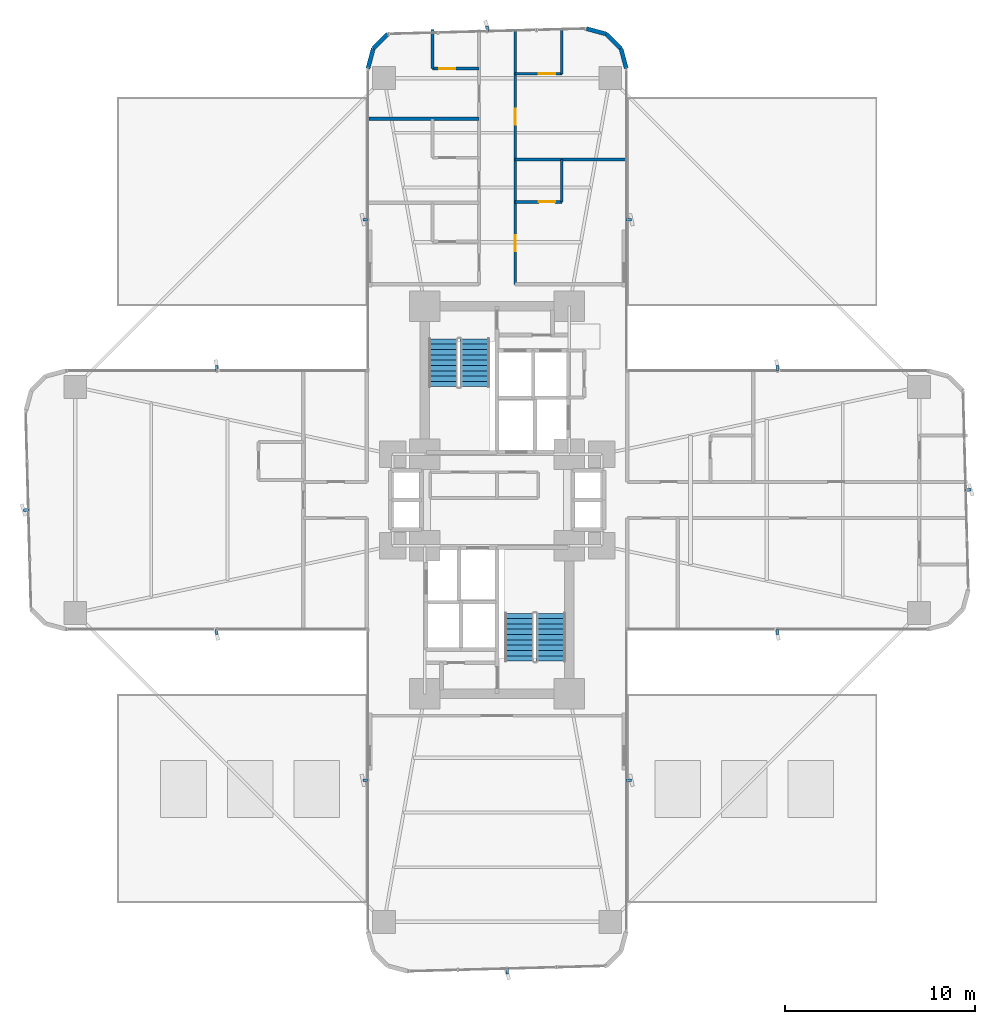
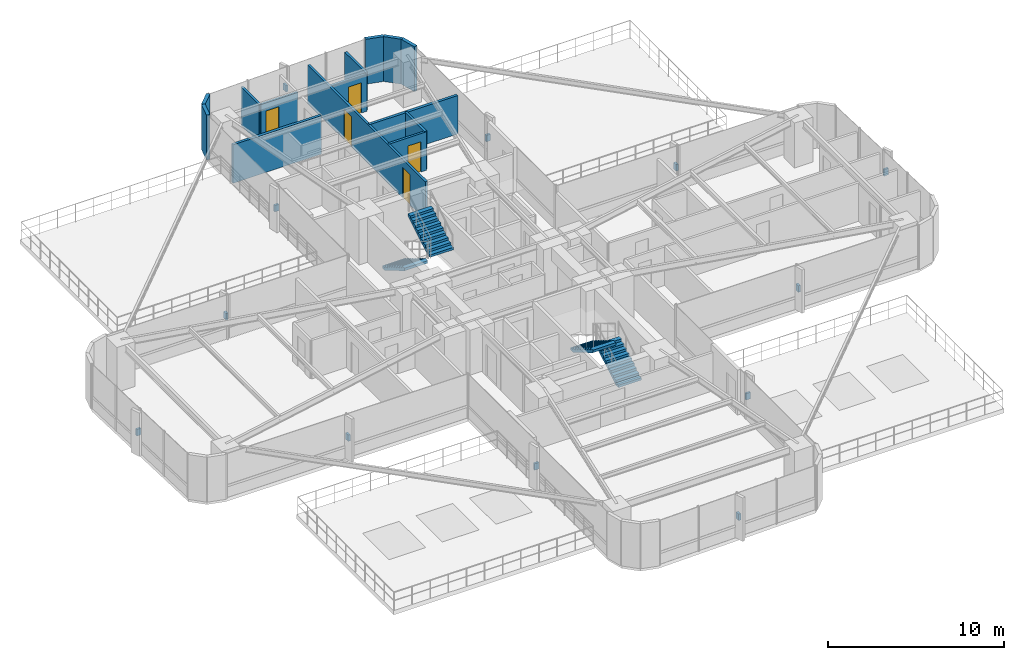
# One storey, part 24 of 27: 14 walls, 12 discrete accessories, 5 doors, 4 stair flights, 5 openings, 2 elements without a shape of their own.
"""IFC4 building model written with IfcOpenShell, lengths in metres."""

from ifc_helpers import new_model, si_unit, direction, frame, frame_2d, origin, origin_2d, place, context, subcontext, project, spatial, polyline, rectangle, outline, extrude, source, transform, mapped, material, layer, layer_set, type_object, element, fill, aggregate, save


model = new_model("IFC4")

# Units and contexts
model_context = context("Model", 3, precision=1e-05, world=origin(), true_north=direction((0.0, 1.0)))
body_context = subcontext(model_context, "Body", "Model", "MODEL_VIEW")
ifc_project = project(units=[si_unit("LENGTHUNIT", "METRE"), si_unit("AREAUNIT", "SQUARE_METRE"), si_unit("VOLUMEUNIT", "CUBIC_METRE"), si_unit("PLANEANGLEUNIT", "RADIAN"), si_unit("MASSUNIT", "GRAM", prefix="KILO")], contexts=[model_context])

# Site, building, storey
site_placement = place(None, origin())
site = spatial("IfcSite", under=ifc_project, at=site_placement, CompositionType="ELEMENT")
building_placement = place(site_placement, origin())
building = spatial("IfcBuilding", under=site, at=building_placement, Name="Sahyath Konkavel Grand Hotel", CompositionType="ELEMENT")
storey_placement = place(building_placement, frame((0.0, 0.0, 23.10009765625)))
storey = spatial("IfcBuildingStorey", under=building, at=storey_placement, Name="L05", CompositionType="ELEMENT", Elevation=23.10009765625)

# Walls
ifc_material_1 = material(Name="Warm Buff Sandstone Insulated Concrete C40/50", Category="masonry")
ifc_layer_1 = layer(ifc_material_1, 0.219970703125)
ifc_layer_set_1 = layer_set([ifc_layer_1], Name="Warm Buff Sandstone Insulated Concrete C40/50")
wall_type_1 = type_object("IfcWallType", Name="WLL-BALC-THRESH", PredefinedType="STANDARD", material=ifc_layer_set_1)
for number, where, z_axis, x_axis, name in (
    (1, (6.800048828125, 22.699951171875, 0.0), (0.0, 0.0, 1.0), (-0.25872485917, 0.965951058412, 0.0), "L05 Rounded Corner Sandstone Pier 9"),
    (2, (6.518798828125, 23.75, 0.0), (0.0, 0.0, 1.0), (-0.707106781187, 0.707106781187, 0.0), "L05 Rounded Corner Sandstone Pier 10"),
    (3, (5.75, 24.518798828125, 0.0), (0.0, 0.0, 1.0), (-0.965951058412, 0.25872485917, 0.0), "L05 Rounded Corner Sandstone Pier 11"),
    (4, (-5.75, 24.518798828125, 0.0), (0.0, 0.0, 1.0), (-0.707106781187, -0.707106781187, 0.0), "L05 Rounded Corner Sandstone Pier 13"),
    (5, (-6.518798828125, 23.75, 0.0), (0.0, 0.0, 1.0), (-0.25872485917, -0.965951058412, 0.0), "L05 Rounded Corner Sandstone Pier 14"),
):
    element("IfcWall", number, at=place(storey_placement, frame(where, z_axis=z_axis, x_axis=x_axis)), inside=storey, type_object=wall_type_1, Name=name, PredefinedType="STANDARD", context=body_context, shape_type="SweptSolid", body=[
        extrude(rectangle(XDim=1.087158203125, YDim=0.219970703125, at=frame_2d((0.54345703125, 0.0))), origin(), (0.0, 0.0, 1.0), 3.10986328125),
    ])
ifc_material_2 = material(Name="Twin-Stud Acoustic Gypsum Plasterboard Partition")
ifc_layer_2 = layer(ifc_material_2, 0.179931640625)
ifc_layer_set_2 = layer_set([ifc_layer_2], Name="Twin-Stud Acoustic Gypsum Plasterboard Partition")
wall_type_2 = type_object("IfcWallType", Name="WLL-DEMISE-180", PredefinedType="PARTITIONING", material=ifc_layer_set_2)
for number, where, z_axis, x_axis, name in (
    (6, (-0.949951171875, 20.06005859375, 0.0), (0.0, 0.0, 1.0), (-1.0, 0.0, 0.0), "L05 Partition N-N2L-DEM"),
    (7, (0.949951171875, 17.916015625, 0.0), (0.0, 0.0, 1.0), (1.0, 0.0, 0.0), "L05 Partition N-N1R-DEM"),
):
    element("IfcWall", number, at=place(storey_placement, frame(where, z_axis=z_axis, x_axis=x_axis)), inside=storey, type_object=wall_type_2, Name=name, PredefinedType="PARTITIONING", context=body_context, shape_type="SweptSolid", body=[
        extrude(rectangle(XDim=5.800048828125, YDim=0.179931640625, at=frame_2d((2.89990234375, 0.0))), origin(), (0.0, 0.0, 1.0), 2.659912109375),
    ])

# Wall, openings, doors
ifc_material_3 = material(Name="Fire-Rated Gypsum Plasterboard Partition")
ifc_layer_3 = layer(ifc_material_3, 0.14990234375)
ifc_layer_set_3 = layer_set([ifc_layer_3], Name="Fire-Rated Gypsum Plasterboard Partition")
wall_type_3 = type_object("IfcWallType", Name="WLL-PART-150", PredefinedType="PARTITIONING", material=ifc_layer_set_3)
wall_1_placement = place(storey_placement, frame((0.949951171875, 11.35009765625, 0.0), z_axis=(0.0, 0.0, 1.0), x_axis=(0.0, 1.0, 0.0)))
wall_1 = element("IfcWall", 8, at=wall_1_placement, inside=storey, type_object=wall_type_3, Name="L05 Partition N-CR", PredefinedType="PARTITIONING", context=body_context, shape_type="SweptSolid", body=[
    extrude(rectangle(XDim=13.39990234375, YDim=0.14990234375, at=frame_2d((6.699951171875, 0.0))), origin(), (0.0, 0.0, 1.0), 2.659912109375),
])
opening_1_placement = place(wall_1_placement, frame((1.741943359375, 0.0, 0.0)))
opening_1 = element("IfcOpeningElement", 9, at=opening_1_placement, cuts=wall_1, Name="Opening D-F06D", PredefinedType="OPENING", context=body_context, shape_type="SweptSolid", body=[
    extrude(rectangle(XDim=0.85009765625, YDim=2.10009765625, at=frame_2d((0.425048828125, 1.050048828125))), frame((0.0, 0.0849609375, 0.0), z_axis=(0.0, -1.0, 0.0), x_axis=(1.0, 0.0, 0.0)), (0.0, 0.0, 1.0), 0.169921875),
])
opening_2_placement = place(wall_1_placement, frame((8.39599609375, 0.0, 0.0)))
opening_2 = element("IfcOpeningElement", 10, at=opening_2_placement, cuts=wall_1, Name="Opening D-F06D", PredefinedType="OPENING", context=body_context, shape_type="SweptSolid", body=[
    extrude(rectangle(XDim=0.85009765625, YDim=2.10009765625, at=frame_2d((0.425048828125, 1.050048828125))), frame((0.0, 0.0849609375, 0.0), z_axis=(0.0, -1.0, 0.0), x_axis=(1.0, 0.0, 0.0)), (0.0, 0.0, 1.0), 0.169921875),
])
ifc_material_4 = material(Name="Fire-Rated Shaft Access Door")
door_type_1 = type_object("IfcDoorType", Name="DR-FD60-850", OperationType="NOTDEFINED", PredefinedType="DOOR", material=ifc_material_4)
shared_shape_1 = source(origin(), body_context, "Body", "SweptSolid", [
    extrude(rectangle(XDim=0.85009765625, YDim=0.050048828125, at=origin_2d()), origin(), (0.0, 0.0, 1.0), 2.10009765625),
])
door_1_placement = place(opening_1_placement, frame((0.425048828125, 0.0, 0.0)))
door_1 = element("IfcDoor", 11, at=door_1_placement, inside=storey, type_object=door_type_1, Name="L05 Door N-N1R-ED", OperationType="SINGLE_SWING_RIGHT", OverallHeight=2.10009765625, OverallWidth=0.85009765625, PredefinedType="DOOR", context=body_context, shape_type="MappedRepresentation", body=[
    mapped(shared_shape_1, transform((0.0, 0.0, 0.0), scale=1.0)),
])
fill(opening_1, door_1)
door_2_placement = place(opening_2_placement, frame((0.425048828125, 0.0, 0.0)))
door_2 = element("IfcDoor", 12, at=door_2_placement, inside=storey, type_object=door_type_1, Name="L05 Door N-N2R-ED", OperationType="SINGLE_SWING_RIGHT", OverallHeight=2.10009765625, OverallWidth=0.85009765625, PredefinedType="DOOR", context=body_context, shape_type="MappedRepresentation", body=[
    mapped(shared_shape_1, transform((0.0, 0.0, 0.0), scale=1.0)),
])
fill(opening_2, door_2)

# Wall, opening, door
wall_2_placement = place(storey_placement, frame((-0.949951171875, 22.699951171875, 0.0), z_axis=(0.0, 0.0, 1.0), x_axis=(-1.0, 0.0, 0.0)))
wall_2 = element("IfcWall", 13, at=wall_2_placement, inside=storey, type_object=wall_type_3, Name="L05 Partition N-N3L-BS", PredefinedType="PARTITIONING", context=body_context, shape_type="SweptSolid", body=[
    extrude(rectangle(XDim=2.449951171875, YDim=0.14990234375, at=frame_2d((1.22509765625, 0.0))), origin(), (0.0, 0.0, 1.0), 2.659912109375),
])
opening_3_placement = place(wall_2_placement, frame((1.25, 0.0, 0.0)))
opening_3 = element("IfcOpeningElement", 14, at=opening_3_placement, cuts=wall_2, Name="Opening D-BT85", PredefinedType="OPENING", context=body_context, shape_type="SweptSolid", body=[
    extrude(rectangle(XDim=0.85009765625, YDim=2.10009765625, at=frame_2d((0.425048828125, 1.050048828125))), frame((0.0, 0.0849609375, 0.0), z_axis=(0.0, -1.0, 0.0), x_axis=(1.0, 0.0, 0.0)), (0.0, 0.0, 1.0), 0.169921875),
])
ifc_material_5 = material(Name="Moisture-Resistant Teak Bathroom Door")
door_type_2 = type_object("IfcDoorType", Name="DR-BATH-850", OperationType="NOTDEFINED", PredefinedType="DOOR", material=ifc_material_5)
door_3_placement = place(opening_3_placement, frame((0.425048828125, 0.0, 0.0)))
door_3 = element("IfcDoor", 15, at=door_3_placement, inside=storey, type_object=door_type_2, Name="L05 Door N-N3L-BD", OperationType="SINGLE_SWING_LEFT", OverallHeight=2.10009765625, OverallWidth=0.85009765625, PredefinedType="DOOR", context=body_context, shape_type="MappedRepresentation", body=[
    mapped(shared_shape_1, transform((0.0, 0.0, 0.0), scale=1.0)),
])
fill(opening_3, door_3)

# Wall
wall_3_placement = place(storey_placement, frame((-3.39990234375, 22.699951171875, 0.0), z_axis=(0.0, 0.0, 1.0), x_axis=(0.0, 1.0, 0.0)))
element("IfcWall", 16, at=wall_3_placement, inside=storey, type_object=wall_type_3, Name="L05 Partition N-N3L-BF", PredefinedType="PARTITIONING", context=body_context, shape_type="SweptSolid", body=[
    extrude(rectangle(XDim=2.050048828125, YDim=0.14990234375, at=frame_2d((1.02490234375, 0.0))), origin(), (0.0, 0.0, 1.0), 2.659912109375),
])

# Wall, opening, door
wall_4_placement = place(storey_placement, frame((0.949951171875, 15.68408203125, 0.0), z_axis=(0.0, 0.0, 1.0), x_axis=(1.0, 0.0, 0.0)))
wall_4 = element("IfcWall", 17, at=wall_4_placement, inside=storey, type_object=wall_type_3, Name="L05 Partition N-N1R-BS", PredefinedType="PARTITIONING", context=body_context, shape_type="SweptSolid", body=[
    extrude(rectangle(XDim=2.449951171875, YDim=0.14990234375, at=frame_2d((1.22509765625, 0.0))), origin(), (0.0, 0.0, 1.0), 2.659912109375),
])
opening_4_placement = place(wall_4_placement, frame((1.25, 0.0, 0.0)))
opening_4 = element("IfcOpeningElement", 18, at=opening_4_placement, cuts=wall_4, Name="Opening D-BT85", PredefinedType="OPENING", context=body_context, shape_type="SweptSolid", body=[
    extrude(rectangle(XDim=0.85009765625, YDim=2.10009765625, at=frame_2d((0.425048828125, 1.050048828125))), frame((0.0, 0.0849609375, 0.0), z_axis=(0.0, -1.0, 0.0), x_axis=(1.0, 0.0, 0.0)), (0.0, 0.0, 1.0), 0.169921875),
])
door_4_placement = place(opening_4_placement, frame((0.425048828125, 0.0, 0.0)))
door_4 = element("IfcDoor", 19, at=door_4_placement, inside=storey, type_object=door_type_2, Name="L05 Door N-N1R-BD", OperationType="SINGLE_SWING_LEFT", OverallHeight=2.10009765625, OverallWidth=0.85009765625, PredefinedType="DOOR", context=body_context, shape_type="MappedRepresentation", body=[
    mapped(shared_shape_1, transform((0.0, 0.0, 0.0), scale=1.0)),
])
fill(opening_4, door_4)

# Wall
wall_5_placement = place(storey_placement, frame((3.39990234375, 15.68408203125, 0.0), z_axis=(0.0, 0.0, 1.0), x_axis=(0.0, 1.0, 0.0)))
element("IfcWall", 20, at=wall_5_placement, inside=storey, type_object=wall_type_3, Name="L05 Partition N-N1R-BF", PredefinedType="PARTITIONING", context=body_context, shape_type="SweptSolid", body=[
    extrude(rectangle(XDim=2.23193359375, YDim=0.14990234375, at=frame_2d((1.115966796875, 0.0))), origin(), (0.0, 0.0, 1.0), 2.659912109375),
])

# Wall, opening, door
wall_6_placement = place(storey_placement, frame((0.949951171875, 22.426025390625, 0.0), z_axis=(0.0, 0.0, 1.0), x_axis=(1.0, 0.0, 0.0)))
wall_6 = element("IfcWall", 21, at=wall_6_placement, inside=storey, type_object=wall_type_3, Name="L05 Partition N-N2R-BS", PredefinedType="PARTITIONING", context=body_context, shape_type="SweptSolid", body=[
    extrude(rectangle(XDim=2.449951171875, YDim=0.14990234375, at=frame_2d((1.22509765625, 0.0))), origin(), (0.0, 0.0, 1.0), 2.579833984375),
])
opening_5_placement = place(wall_6_placement, frame((1.25, 0.0, 0.0)))
opening_5 = element("IfcOpeningElement", 22, at=opening_5_placement, cuts=wall_6, Name="Opening D-BT85", PredefinedType="OPENING", context=body_context, shape_type="SweptSolid", body=[
    extrude(rectangle(XDim=0.85009765625, YDim=2.10009765625, at=frame_2d((0.425048828125, 1.050048828125))), frame((0.0, 0.0849609375, 0.0), z_axis=(0.0, -1.0, 0.0), x_axis=(1.0, 0.0, 0.0)), (0.0, 0.0, 1.0), 0.169921875),
])
door_5_placement = place(opening_5_placement, frame((0.425048828125, 0.0, 0.0)))
door_5 = element("IfcDoor", 23, at=door_5_placement, inside=storey, type_object=door_type_2, Name="L05 Door N-N2R-BD", OperationType="SINGLE_SWING_LEFT", OverallHeight=2.10009765625, OverallWidth=0.85009765625, PredefinedType="DOOR", context=body_context, shape_type="MappedRepresentation", body=[
    mapped(shared_shape_1, transform((0.0, 0.0, 0.0), scale=1.0)),
])
fill(opening_5, door_5)

# Wall
wall_7_placement = place(storey_placement, frame((3.39990234375, 22.426025390625, 0.0), z_axis=(0.0, 0.0, 1.0), x_axis=(0.0, 1.0, 0.0)))
element("IfcWall", 24, at=wall_7_placement, inside=storey, type_object=wall_type_3, Name="L05 Partition N-N2R-BF", PredefinedType="PARTITIONING", context=body_context, shape_type="SweptSolid", body=[
    extrude(rectangle(XDim=2.323974609375, YDim=0.14990234375, at=frame_2d((1.162109375, 0.0))), origin(), (0.0, 0.0, 1.0), 2.659912109375),
])

# Stair, stair flights
ifc_material_6 = material(Name="Concrete C40/50", Category="concrete")
stair_type = type_object("IfcStairType", Name="STR-ST16-335", PredefinedType="HALF_TURN_STAIR", material=ifc_material_6)
stair_1_placement = place(storey_placement, origin())
stair_1 = element("IfcStair", 25, at=stair_1_placement, inside=storey, type_object=stair_type, Name="L05 North Core Smokeproof Exit Stair ST-1", PredefinedType="HALF_TURN_STAIR")
stair_flight_type = type_object("IfcStairFlightType", Name="STF-ST16-335", PredefinedType="STRAIGHT", material=ifc_material_6)
stair_flight_1_placement = place(storey_placement, frame((-2.840087890625, 8.47998046875, 0.0), z_axis=(0.0, 0.0, 1.0), x_axis=(0.0, -1.0, 0.0)))
stair_flight_1 = element("IfcStairFlight", 26, at=stair_flight_1_placement, type_object=stair_flight_type, Name="ST-1 flight 1", NumberOfRisers=10, NumberOfTreads=9, PredefinedType="STRAIGHT", RiserHeight=0.1675, TreadLength=0.28, context=body_context, shape_type="SweptSolid", body=[
    extrude(outline(polyline([(0.0, 0.0), (0.0, 0.16748046875), (0.280029296875, 0.16748046875), (0.280029296875, 0.3349609375), (0.56005859375, 0.3349609375), (0.56005859375, 0.50244140625), (0.840087890625, 0.50244140625), (0.840087890625, 0.669921875), (1.1201171875, 0.669921875), (1.1201171875, 0.83740234375), (1.39990234375, 0.83740234375), (1.39990234375, 1.0048828125), (1.679931640625, 1.0048828125), (1.679931640625, 1.172607421875), (1.9599609375, 1.172607421875), (1.9599609375, 1.340087890625), (2.239990234375, 1.340087890625), (2.239990234375, 1.507568359375), (2.52001953125, 1.507568359375), (2.52001953125, 1.675048828125), (2.52001953125, 1.332763671875), (0.2919921875, 0.0), (0.0, 0.0)])), frame((0.0, 0.760009765625, 0.0), z_axis=(0.0, -1.0, 0.0), x_axis=(1.0, 0.0, 0.0)), (0.0, 0.0, 1.0), 1.52001953125),
])
stair_flight_2_placement = place(storey_placement, frame((-1.159912109375, 5.9599609375, 1.6748046875), z_axis=(0.0, 0.0, 1.0), x_axis=(0.0, 1.0, 0.0)))
stair_flight_2 = element("IfcStairFlight", 27, at=stair_flight_2_placement, type_object=stair_flight_type, Name="ST-1 flight 2", NumberOfRisers=10, NumberOfTreads=9, PredefinedType="STRAIGHT", RiserHeight=0.1675, TreadLength=0.28, context=body_context, shape_type="SweptSolid", body=[
    extrude(outline(polyline([(0.0, 0.0), (0.0, 0.16748046875), (0.280029296875, 0.16748046875), (0.280029296875, 0.3349609375), (0.56005859375, 0.3349609375), (0.56005859375, 0.50244140625), (0.840087890625, 0.50244140625), (0.840087890625, 0.669921875), (1.1201171875, 0.669921875), (1.1201171875, 0.83740234375), (1.39990234375, 0.83740234375), (1.39990234375, 1.0048828125), (1.679931640625, 1.0048828125), (1.679931640625, 1.172607421875), (1.9599609375, 1.172607421875), (1.9599609375, 1.340087890625), (2.239990234375, 1.340087890625), (2.239990234375, 1.507568359375), (2.52001953125, 1.507568359375), (2.52001953125, 1.675048828125), (2.52001953125, 1.332763671875), (0.2919921875, 0.0), (0.0, 0.0)])), frame((0.0, 0.760009765625, 0.0), z_axis=(0.0, -1.0, 0.0), x_axis=(1.0, 0.0, 0.0)), (0.0, 0.0, 1.0), 1.52001953125),
])
aggregate(stair_1, [stair_flight_1, stair_flight_2])

stair_2_placement = place(storey_placement, origin())
stair_2 = element("IfcStair", 28, at=stair_2_placement, inside=storey, type_object=stair_type, Name="L05 South Core Smokeproof Exit Stair ST-2", PredefinedType="HALF_TURN_STAIR")
stair_flight_3_placement = place(storey_placement, frame((2.840087890625, -8.47998046875, 0.0), z_axis=(0.0, 0.0, 1.0), x_axis=(0.0, 1.0, 0.0)))
stair_flight_3 = element("IfcStairFlight", 29, at=stair_flight_3_placement, type_object=stair_flight_type, Name="ST-2 flight 1", NumberOfRisers=10, NumberOfTreads=9, PredefinedType="STRAIGHT", RiserHeight=0.1675, TreadLength=0.28, context=body_context, shape_type="SweptSolid", body=[
    extrude(outline(polyline([(0.0, 0.0), (0.0, 0.16748046875), (0.280029296875, 0.16748046875), (0.280029296875, 0.3349609375), (0.56005859375, 0.3349609375), (0.56005859375, 0.50244140625), (0.840087890625, 0.50244140625), (0.840087890625, 0.669921875), (1.1201171875, 0.669921875), (1.1201171875, 0.83740234375), (1.39990234375, 0.83740234375), (1.39990234375, 1.0048828125), (1.679931640625, 1.0048828125), (1.679931640625, 1.172607421875), (1.9599609375, 1.172607421875), (1.9599609375, 1.340087890625), (2.239990234375, 1.340087890625), (2.239990234375, 1.507568359375), (2.52001953125, 1.507568359375), (2.52001953125, 1.675048828125), (2.52001953125, 1.332763671875), (0.2919921875, 0.0), (0.0, 0.0)])), frame((0.0, 0.760009765625, 0.0), z_axis=(0.0, -1.0, 0.0), x_axis=(1.0, 0.0, 0.0)), (0.0, 0.0, 1.0), 1.52001953125),
])
stair_flight_4_placement = place(storey_placement, frame((1.159912109375, -5.9599609375, 1.6748046875), z_axis=(0.0, 0.0, 1.0), x_axis=(0.0, -1.0, 0.0)))
stair_flight_4 = element("IfcStairFlight", 30, at=stair_flight_4_placement, type_object=stair_flight_type, Name="ST-2 flight 2", NumberOfRisers=10, NumberOfTreads=9, PredefinedType="STRAIGHT", RiserHeight=0.1675, TreadLength=0.28, context=body_context, shape_type="SweptSolid", body=[
    extrude(outline(polyline([(0.0, 0.0), (0.0, 0.16748046875), (0.280029296875, 0.16748046875), (0.280029296875, 0.3349609375), (0.56005859375, 0.3349609375), (0.56005859375, 0.50244140625), (0.840087890625, 0.50244140625), (0.840087890625, 0.669921875), (1.1201171875, 0.669921875), (1.1201171875, 0.83740234375), (1.39990234375, 0.83740234375), (1.39990234375, 1.0048828125), (1.679931640625, 1.0048828125), (1.679931640625, 1.172607421875), (1.9599609375, 1.172607421875), (1.9599609375, 1.340087890625), (2.239990234375, 1.340087890625), (2.239990234375, 1.507568359375), (2.52001953125, 1.507568359375), (2.52001953125, 1.675048828125), (2.52001953125, 1.332763671875), (0.2919921875, 0.0), (0.0, 0.0)])), frame((0.0, 0.760009765625, 0.0), z_axis=(0.0, -1.0, 0.0), x_axis=(1.0, 0.0, 0.0)), (0.0, 0.0, 1.0), 1.52001953125),
])
aggregate(stair_2, [stair_flight_3, stair_flight_4])

# Discrete accessories
ifc_material_7 = material(Name="Steel E350", Category="steel")
discrete_accessory_type = type_object("IfcDiscreteAccessoryType", Name="ACC-FIN-BRACKET", PredefinedType="BRACKET", material=ifc_material_7)
shared_shape_2 = source(origin(), body_context, "Body", "SweptSolid", [
    extrude(rectangle(XDim=0.280029296875, YDim=0.139892578125, at=origin_2d()), origin(), (0.0, 0.0, 1.0), 0.449951171875),
])
for number, where, z_axis, x_axis, name in (
    (31, (14.75, -6.929931640625, 1.330078125), (0.0, 0.0, 1.0), (0.0, -1.0, 0.0), "L05 Fin Support Bracket F0-1"),
    (32, (24.789306640625, 0.528564453125, 1.330078125), (0.0, 0.0, 1.0), (0.999637867691, 0.026909728301, 0.0), "L05 Fin Support Bracket F4-2"),
    (33, (14.75, 6.929931640625, 1.330078125), (0.0, 0.0, 1.0), (0.0, 1.0, 0.0), "L05 Fin Support Bracket F7-1"),
    (34, (6.929931640625, 14.75, 1.330078125), (0.0, 0.0, 1.0), (1.0, 0.0, 0.0), "L05 Fin Support Bracket F8-1"),
    (35, (-0.528564453125, 24.789306640625, 1.330078125), (0.0, 0.0, 1.0), (-0.026909728301, 0.999637867691, 0.0), "L05 Fin Support Bracket F12-2"),
    (36, (-6.929931640625, 14.75, 1.330078125), (0.0, 0.0, 1.0), (-1.0, 0.0, 0.0), "L05 Fin Support Bracket F15-1"),
    (37, (-14.75, 6.929931640625, 1.330078125), (0.0, 0.0, 1.0), (0.0, 1.0, 0.0), "L05 Fin Support Bracket F16-1"),
    (38, (-24.789306640625, -0.528564453125, 1.330078125), (0.0, 0.0, 1.0), (-0.999637867691, -0.026909728301, 0.0), "L05 Fin Support Bracket F20-2"),
    (39, (-14.75, -6.929931640625, 1.330078125), (0.0, 0.0, 1.0), (0.0, -1.0, 0.0), "L05 Fin Support Bracket F23-1"),
    (40, (-6.929931640625, -14.75, 1.330078125), (0.0, 0.0, 1.0), (-1.0, 0.0, 0.0), "L05 Fin Support Bracket F24-1"),
    (41, (0.528564453125, -24.789306640625, 1.330078125), (0.0, 0.0, 1.0), (0.026909728301, -0.999637867691, 0.0), "L05 Fin Support Bracket F28-2"),
    (42, (6.929931640625, -14.75, 1.330078125), (0.0, 0.0, 1.0), (1.0, 0.0, 0.0), "L05 Fin Support Bracket F31-1"),
):
    element("IfcDiscreteAccessory", number, at=place(storey_placement, frame(where, z_axis=z_axis, x_axis=x_axis)), inside=storey, type_object=discrete_accessory_type, Name=name, PredefinedType="BRACKET", context=body_context, shape_type="MappedRepresentation", body=[
        mapped(shared_shape_2, transform((0.0, 0.0, 0.0), scale=1.0)),
    ])

save(model, "model.ifc")
